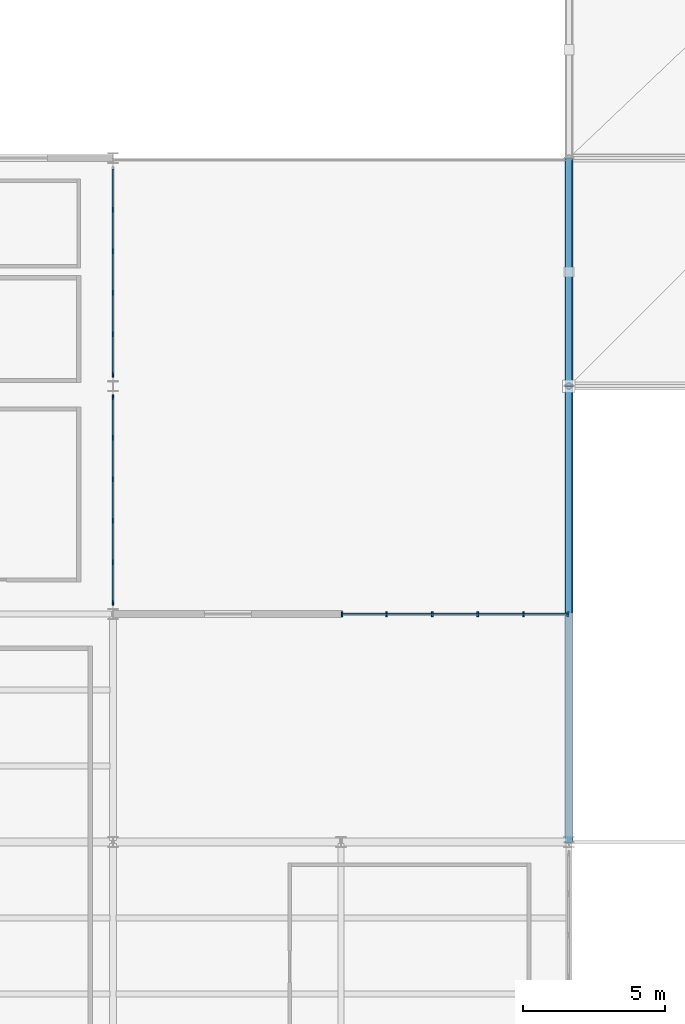
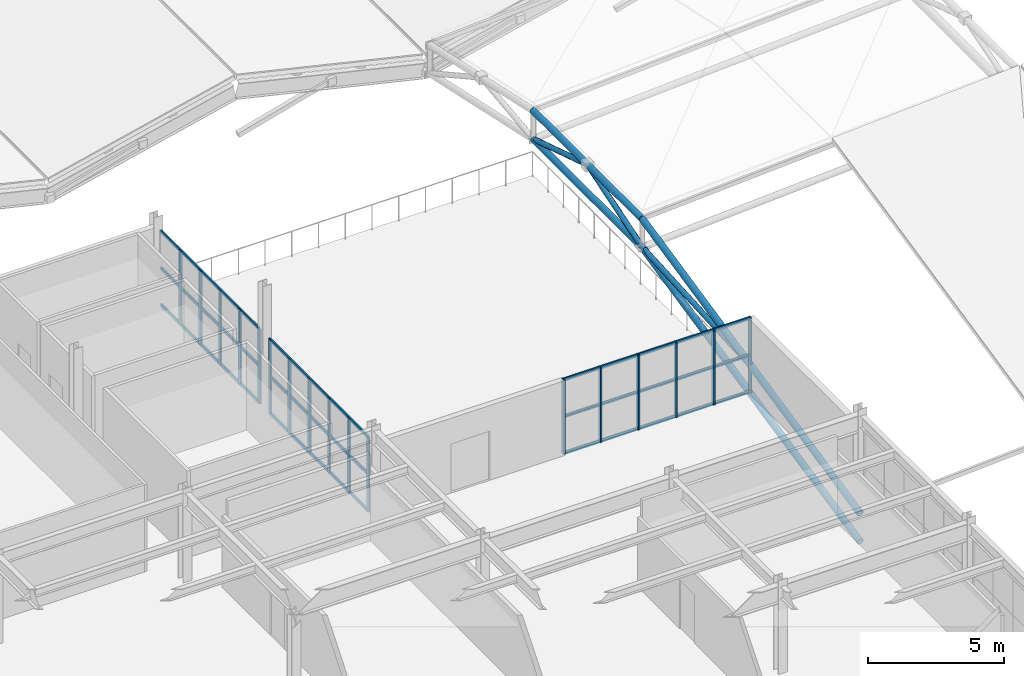
# One storey, part 9 of 67: 33 members, 3 elements without a shape of their own.
"""IFC4 building model written with IfcOpenShell, lengths in metres."""

from ifc_helpers import new_model, si_unit, direction, frame, origin, origin_2d, place, context, subcontext, project, spatial, rectangle, hollow_circle, extrude, material, material_profile, profile_set, type_object, element, aggregate, save


model = new_model("IFC4")

# Units and contexts
model_context = context("Model", 3, precision=1e-05, world=origin(), true_north=direction((0.0, 1.0)))
body_context = subcontext(model_context, "Body", "Model", "MODEL_VIEW")
ifc_project = project(units=[si_unit("LENGTHUNIT", "METRE"), si_unit("AREAUNIT", "SQUARE_METRE"), si_unit("VOLUMEUNIT", "CUBIC_METRE"), si_unit("PLANEANGLEUNIT", "RADIAN"), si_unit("MASSUNIT", "GRAM", prefix="KILO")], contexts=[model_context])

# Site, building, storey
site_placement = place(None, origin())
site = spatial("IfcSite", under=ifc_project, at=site_placement, CompositionType="ELEMENT")
building_placement = place(site_placement, origin())
building = spatial("IfcBuilding", under=site, at=building_placement, Name="Drelvath Fold Interchange", CompositionType="ELEMENT")
storey_placement = place(building_placement, frame((0.0, 0.0, 15.60009765625)))
storey = spatial("IfcBuildingStorey", under=building, at=storey_placement, Name="L03", CompositionType="ELEMENT", Elevation=15.60009765625)

# Curtain wall, members
ifc_material_1 = material(Name="Anodized Aluminium 6063-T6", Category="aluminium")
curtain_wall_type = type_object("IfcCurtainWallType", Name="CW-OPS-UPP", PredefinedType="USERDEFINED", material=ifc_material_1)
curtain_wall_1_placement = place(storey_placement, origin())
curtain_wall_1 = element("IfcCurtainWall", 1, at=curtain_wall_1_placement, inside=storey, type_object=curtain_wall_type, Name="Curtain wall CW-V5-L03-ST44", ObjectType="UNITISED CURTAIN WALL", PredefinedType="USERDEFINED")
ifc_material_profile_1 = material_profile(ifc_material_1, rectangle(XDim=0.06005859375, YDim=0.175048828125, at=origin_2d()), Name="AL-M 60x175")
ifc_profile_set_1 = profile_set([ifc_material_profile_1], Name="Anodized Aluminium 6063-T6")
member_type_1 = type_object("IfcMemberType", Name="ML-175", PredefinedType="MULLION", material=ifc_profile_set_1)
member_1_placement = place(storey_placement, frame((44.0400390625, 35.0, 0.0), z_axis=(0.0, 0.0, 1.0), x_axis=(1.0, 0.0, 0.0)))
member_1 = element("IfcMember", 2, at=member_1_placement, type_object=member_type_1, Name="CW-V5-L03-ST44 mullion 0", PredefinedType="MULLION", context=body_context, shape_type="SweptSolid", body=[
    extrude(rectangle(XDim=0.06005859375, YDim=0.175048828125, at=origin_2d()), origin(), (0.0, 0.0, 1.0), 3.349853515625),
])
member_2_placement = place(storey_placement, frame((45.60009765625, 35.0, 0.0), z_axis=(0.0, 0.0, 1.0), x_axis=(1.0, 0.0, 0.0)))
member_2 = element("IfcMember", 3, at=member_2_placement, type_object=member_type_1, Name="CW-V5-L03-ST44 mullion 1", PredefinedType="MULLION", context=body_context, shape_type="SweptSolid", body=[
    extrude(rectangle(XDim=0.06005859375, YDim=0.175048828125, at=origin_2d()), origin(), (0.0, 0.0, 1.0), 3.349853515625),
])
member_3_placement = place(storey_placement, frame((47.199951171875, 35.0, 0.0), z_axis=(0.0, 0.0, 1.0), x_axis=(1.0, 0.0, 0.0)))
member_3 = element("IfcMember", 4, at=member_3_placement, type_object=member_type_1, Name="CW-V5-L03-ST44 mullion 2", PredefinedType="MULLION", context=body_context, shape_type="SweptSolid", body=[
    extrude(rectangle(XDim=0.06005859375, YDim=0.175048828125, at=origin_2d()), origin(), (0.0, 0.0, 1.0), 3.349853515625),
])
member_4_placement = place(storey_placement, frame((48.800048828125, 35.0, 0.0), z_axis=(0.0, 0.0, 1.0), x_axis=(1.0, 0.0, 0.0)))
member_4 = element("IfcMember", 5, at=member_4_placement, type_object=member_type_1, Name="CW-V5-L03-ST44 mullion 3", PredefinedType="MULLION", context=body_context, shape_type="SweptSolid", body=[
    extrude(rectangle(XDim=0.06005859375, YDim=0.175048828125, at=origin_2d()), origin(), (0.0, 0.0, 1.0), 3.349853515625),
])
member_5_placement = place(storey_placement, frame((50.39990234375, 35.0, 0.0), z_axis=(0.0, 0.0, 1.0), x_axis=(1.0, 0.0, 0.0)))
member_5 = element("IfcMember", 6, at=member_5_placement, type_object=member_type_1, Name="CW-V5-L03-ST44 mullion 4", PredefinedType="MULLION", context=body_context, shape_type="SweptSolid", body=[
    extrude(rectangle(XDim=0.06005859375, YDim=0.175048828125, at=origin_2d()), origin(), (0.0, 0.0, 1.0), 3.349853515625),
])
member_6_placement = place(storey_placement, frame((51.9599609375, 35.0, 0.0), z_axis=(0.0, 0.0, 1.0), x_axis=(1.0, 0.0, 0.0)))
member_6 = element("IfcMember", 7, at=member_6_placement, type_object=member_type_1, Name="CW-V5-L03-ST44 mullion 5", PredefinedType="MULLION", context=body_context, shape_type="SweptSolid", body=[
    extrude(rectangle(XDim=0.06005859375, YDim=0.175048828125, at=origin_2d()), origin(), (0.0, 0.0, 1.0), 3.349853515625),
])

curtain_wall_2_placement = place(storey_placement, origin())
curtain_wall_2 = element("IfcCurtainWall", 8, at=curtain_wall_2_placement, inside=storey, type_object=curtain_wall_type, Name="Curtain wall CW-V5-L03-E36-35", ObjectType="UNITISED CURTAIN WALL", PredefinedType="USERDEFINED")
member_7_placement = place(storey_placement, frame((36.0, 35.39990234375, 0.0), z_axis=(0.0, 0.0, 1.0), x_axis=(1.0, 0.0, 0.0)))
member_7 = element("IfcMember", 9, at=member_7_placement, type_object=member_type_1, Name="CW-V5-L03-E36-35 mullion 0", PredefinedType="MULLION", context=body_context, shape_type="SweptSolid", body=[
    extrude(rectangle(XDim=0.06005859375, YDim=0.175048828125, at=origin_2d()), origin(), (0.0, 0.0, 1.0), 3.349853515625),
])
member_8_placement = place(storey_placement, frame((36.0, 36.81591796875, 0.0), z_axis=(0.0, 0.0, 1.0), x_axis=(1.0, 0.0, 0.0)))
member_8 = element("IfcMember", 10, at=member_8_placement, type_object=member_type_1, Name="CW-V5-L03-E36-35 mullion 1", PredefinedType="MULLION", context=body_context, shape_type="SweptSolid", body=[
    extrude(rectangle(XDim=0.06005859375, YDim=0.175048828125, at=origin_2d()), origin(), (0.0, 0.0, 1.0), 3.349853515625),
])
member_9_placement = place(storey_placement, frame((36.0, 38.27197265625, 0.0), z_axis=(0.0, 0.0, 1.0), x_axis=(1.0, 0.0, 0.0)))
member_9 = element("IfcMember", 11, at=member_9_placement, type_object=member_type_1, Name="CW-V5-L03-E36-35 mullion 2", PredefinedType="MULLION", context=body_context, shape_type="SweptSolid", body=[
    extrude(rectangle(XDim=0.06005859375, YDim=0.175048828125, at=origin_2d()), origin(), (0.0, 0.0, 1.0), 3.349853515625),
])
member_10_placement = place(storey_placement, frame((36.0, 39.72802734375, 0.0), z_axis=(0.0, 0.0, 1.0), x_axis=(1.0, 0.0, 0.0)))
member_10 = element("IfcMember", 12, at=member_10_placement, type_object=member_type_1, Name="CW-V5-L03-E36-35 mullion 3", PredefinedType="MULLION", context=body_context, shape_type="SweptSolid", body=[
    extrude(rectangle(XDim=0.06005859375, YDim=0.175048828125, at=origin_2d()), origin(), (0.0, 0.0, 1.0), 3.349853515625),
])
member_11_placement = place(storey_placement, frame((36.0, 41.18408203125, 0.0), z_axis=(0.0, 0.0, 1.0), x_axis=(1.0, 0.0, 0.0)))
member_11 = element("IfcMember", 13, at=member_11_placement, type_object=member_type_1, Name="CW-V5-L03-E36-35 mullion 4", PredefinedType="MULLION", context=body_context, shape_type="SweptSolid", body=[
    extrude(rectangle(XDim=0.06005859375, YDim=0.175048828125, at=origin_2d()), origin(), (0.0, 0.0, 1.0), 3.349853515625),
])
member_12_placement = place(storey_placement, frame((36.0, 42.60009765625, 0.0), z_axis=(0.0, 0.0, 1.0), x_axis=(1.0, 0.0, 0.0)))
member_12 = element("IfcMember", 14, at=member_12_placement, type_object=member_type_1, Name="CW-V5-L03-E36-35 mullion 5", PredefinedType="MULLION", context=body_context, shape_type="SweptSolid", body=[
    extrude(rectangle(XDim=0.06005859375, YDim=0.175048828125, at=origin_2d()), origin(), (0.0, 0.0, 1.0), 3.349853515625),
])

curtain_wall_3_placement = place(storey_placement, origin())
curtain_wall_3 = element("IfcCurtainWall", 15, at=curtain_wall_3_placement, inside=storey, type_object=curtain_wall_type, Name="Curtain wall CW-V5-L03-E36-43", ObjectType="UNITISED CURTAIN WALL", PredefinedType="USERDEFINED")
member_13_placement = place(storey_placement, frame((36.0, 43.39990234375, 0.0), z_axis=(0.0, 0.0, 1.0), x_axis=(1.0, 0.0, 0.0)))
member_13 = element("IfcMember", 16, at=member_13_placement, type_object=member_type_1, Name="CW-V5-L03-E36-43 mullion 0", PredefinedType="MULLION", context=body_context, shape_type="SweptSolid", body=[
    extrude(rectangle(XDim=0.06005859375, YDim=0.175048828125, at=origin_2d()), origin(), (0.0, 0.0, 1.0), 3.349853515625),
])
member_14_placement = place(storey_placement, frame((36.0, 44.81591796875, 0.0), z_axis=(0.0, 0.0, 1.0), x_axis=(1.0, 0.0, 0.0)))
member_14 = element("IfcMember", 17, at=member_14_placement, type_object=member_type_1, Name="CW-V5-L03-E36-43 mullion 1", PredefinedType="MULLION", context=body_context, shape_type="SweptSolid", body=[
    extrude(rectangle(XDim=0.06005859375, YDim=0.175048828125, at=origin_2d()), origin(), (0.0, 0.0, 1.0), 3.349853515625),
])
member_15_placement = place(storey_placement, frame((36.0, 46.27197265625, 0.0), z_axis=(0.0, 0.0, 1.0), x_axis=(1.0, 0.0, 0.0)))
member_15 = element("IfcMember", 18, at=member_15_placement, type_object=member_type_1, Name="CW-V5-L03-E36-43 mullion 2", PredefinedType="MULLION", context=body_context, shape_type="SweptSolid", body=[
    extrude(rectangle(XDim=0.06005859375, YDim=0.175048828125, at=origin_2d()), origin(), (0.0, 0.0, 1.0), 3.349853515625),
])
member_16_placement = place(storey_placement, frame((36.0, 47.72802734375, 0.0), z_axis=(0.0, 0.0, 1.0), x_axis=(1.0, 0.0, 0.0)))
member_16 = element("IfcMember", 19, at=member_16_placement, type_object=member_type_1, Name="CW-V5-L03-E36-43 mullion 3", PredefinedType="MULLION", context=body_context, shape_type="SweptSolid", body=[
    extrude(rectangle(XDim=0.06005859375, YDim=0.175048828125, at=origin_2d()), origin(), (0.0, 0.0, 1.0), 3.349853515625),
])
member_17_placement = place(storey_placement, frame((36.0, 49.18408203125, 0.0), z_axis=(0.0, 0.0, 1.0), x_axis=(1.0, 0.0, 0.0)))
member_17 = element("IfcMember", 20, at=member_17_placement, type_object=member_type_1, Name="CW-V5-L03-E36-43 mullion 4", PredefinedType="MULLION", context=body_context, shape_type="SweptSolid", body=[
    extrude(rectangle(XDim=0.06005859375, YDim=0.175048828125, at=origin_2d()), origin(), (0.0, 0.0, 1.0), 3.349853515625),
])

# Members
ifc_material_2 = material(Name="Steel ASTM A500 Grade C", Category="steel")
ifc_material_profile_2 = material_profile(ifc_material_2, hollow_circle(Radius=0.136474609375, WallThickness=0.01171875, at=origin_2d()), Name="HSS10.750X0.500")
ifc_profile_set_2 = profile_set([ifc_material_profile_2], Name="Steel ASTM A500 Grade C")
member_type_2 = type_object("IfcMemberType", Name="SF-CHD273", PredefinedType="CHORD", material=ifc_profile_set_2)
for number, where, z_axis, x_axis, name in (
    (21, (52.0, 27.0, -1.8701171875), (0.0, 0.977052272987, 0.212999661624), (-1.0, 0.0, 0.0), "L03 Space frame wall ledger chord SF-CHD273"),
    (22, (52.0, 27.0, -0.60009765625), (0.0, 0.977052272987, 0.212999661624), (-1.0, 0.0, 0.0), "L03 Space frame roof truss upper chord SF-CHD273"),
):
    element("IfcMember", number, at=place(storey_placement, frame(where, z_axis=z_axis, x_axis=x_axis)), inside=storey, type_object=member_type_2, Name=name, PredefinedType="CHORD", context=body_context, shape_type="SweptSolid", body=[
        extrude(hollow_circle(Radius=0.136474609375, WallThickness=0.01171875, at=origin_2d()), origin(), (0.0, 0.0, 1.0), 16.375732421875),
    ])
for number, where, z_axis, x_axis, name in (
    (23, (52.0, 43.0, 1.617919921875), (0.0, 1.0, 0.0), (-1.0, 0.0, 0.0), "L03 Space frame wall ledger chord SF-CHD273"),
    (24, (52.0, 43.0, 2.887939453125), (0.0, 1.0, 0.0), (-1.0, 0.0, 0.0), "L03 Space frame roof truss upper chord SF-CHD273"),
):
    element("IfcMember", number, at=place(storey_placement, frame(where, z_axis=z_axis, x_axis=x_axis)), inside=storey, type_object=member_type_2, Name=name, PredefinedType="CHORD", context=body_context, shape_type="SweptSolid", body=[
        extrude(hollow_circle(Radius=0.136474609375, WallThickness=0.01171875, at=origin_2d()), origin(), (0.0, 0.0, 1.0), 8.0),
    ])
ifc_material_profile_3 = material_profile(ifc_material_2, hollow_circle(Radius=0.109619140625, WallThickness=0.0087890625, at=origin_2d()), Name="HSS8.625X0.375")
ifc_profile_set_3 = profile_set([ifc_material_profile_3], Name="Steel ASTM A500 Grade C")
member_type_3 = type_object("IfcMemberType", Name="SF-WEB219", PredefinedType="BRACE", material=ifc_profile_set_3)
member_18_placement = place(storey_placement, frame((52.0, 35.0, 1.143798828125), z_axis=(0.0, 0.998248434528, 0.059161329952), x_axis=(-1.0, 0.0, 0.0)))
element("IfcMember", 25, at=member_18_placement, inside=storey, type_object=member_type_3, Name="L03 Space frame roof truss web brace SF-WEB219", PredefinedType="BRACE", context=body_context, shape_type="SweptSolid", body=[
    extrude(hollow_circle(Radius=0.109619140625, WallThickness=0.0087890625, at=origin_2d()), origin(), (0.0, 0.0, 1.0), 8.013916015625),
])
for number, where, z_axis, x_axis, name in (
    (26, (52.0, 43.0, 1.617919921875), (0.0, 0.953112016541, 0.302617719119), (-1.0, 0.0, 0.0), "L03 Space frame roof truss web brace SF-WEB219"),
    (27, (52.0, 47.0, 2.887939453125), (0.0, 0.953112016541, -0.302617719119), (-1.0, 0.0, 0.0), "L03 Space frame roof truss web brace SF-WEB219"),
):
    element("IfcMember", number, at=place(storey_placement, frame(where, z_axis=z_axis, x_axis=x_axis)), inside=storey, type_object=member_type_3, Name=name, PredefinedType="BRACE", context=body_context, shape_type="SweptSolid", body=[
        extrude(hollow_circle(Radius=0.109619140625, WallThickness=0.0087890625, at=origin_2d()), origin(), (0.0, 0.0, 1.0), 4.19677734375),
    ])

# Member
ifc_material_profile_4 = material_profile(ifc_material_1, rectangle(XDim=0.06005859375, YDim=0.139892578125, at=origin_2d()), Name="AL-T 60x140")
ifc_profile_set_4 = profile_set([ifc_material_profile_4], Name="Anodized Aluminium 6063-T6")
member_type_4 = type_object("IfcMemberType", Name="TR-140", PredefinedType="USERDEFINED", material=ifc_profile_set_4)
member_19_placement = place(storey_placement, frame((44.0400390625, 35.0, 0.02978515625), z_axis=(1.0, 0.0, 0.0), x_axis=(0.0, 1.0, 0.0)))
member_19 = element("IfcMember", 28, at=member_19_placement, type_object=member_type_4, Name="CW-V5-L03-ST44 transom 0", ObjectType="TRANSOM", PredefinedType="USERDEFINED", context=body_context, shape_type="SweptSolid", body=[
    extrude(rectangle(XDim=0.06005859375, YDim=0.139892578125, at=origin_2d()), origin(), (0.0, 0.0, 1.0), 7.919921875),
])

member_20_placement = place(storey_placement, frame((44.0400390625, 35.0, 1.6748046875), z_axis=(1.0, 0.0, 0.0), x_axis=(0.0, 1.0, 0.0)))
member_20 = element("IfcMember", 29, at=member_20_placement, type_object=member_type_4, Name="CW-V5-L03-ST44 transom 1", ObjectType="TRANSOM", PredefinedType="USERDEFINED", context=body_context, shape_type="SweptSolid", body=[
    extrude(rectangle(XDim=0.06005859375, YDim=0.139892578125, at=origin_2d()), origin(), (0.0, 0.0, 1.0), 7.919921875),
])

member_21_placement = place(storey_placement, frame((44.0400390625, 35.0, 3.31982421875), z_axis=(1.0, 0.0, 0.0), x_axis=(0.0, 1.0, 0.0)))
member_21 = element("IfcMember", 30, at=member_21_placement, type_object=member_type_4, Name="CW-V5-L03-ST44 transom 2", ObjectType="TRANSOM", PredefinedType="USERDEFINED", context=body_context, shape_type="SweptSolid", body=[
    extrude(rectangle(XDim=0.06005859375, YDim=0.139892578125, at=origin_2d()), origin(), (0.0, 0.0, 1.0), 7.919921875),
])

aggregate(curtain_wall_1, [member_1, member_2, member_3, member_4, member_5, member_6, member_19, member_20, member_21])

member_22_placement = place(storey_placement, frame((36.0, 35.39990234375, 0.02978515625), z_axis=(0.0, 1.0, 0.0), x_axis=(-1.0, 0.0, 0.0)))
member_22 = element("IfcMember", 31, at=member_22_placement, type_object=member_type_4, Name="CW-V5-L03-E36-35 transom 0", ObjectType="TRANSOM", PredefinedType="USERDEFINED", context=body_context, shape_type="SweptSolid", body=[
    extrude(rectangle(XDim=0.06005859375, YDim=0.139892578125, at=origin_2d()), origin(), (0.0, 0.0, 1.0), 7.2001953125),
])

member_23_placement = place(storey_placement, frame((36.0, 35.39990234375, 1.6748046875), z_axis=(0.0, 1.0, 0.0), x_axis=(-1.0, 0.0, 0.0)))
member_23 = element("IfcMember", 32, at=member_23_placement, type_object=member_type_4, Name="CW-V5-L03-E36-35 transom 1", ObjectType="TRANSOM", PredefinedType="USERDEFINED", context=body_context, shape_type="SweptSolid", body=[
    extrude(rectangle(XDim=0.06005859375, YDim=0.139892578125, at=origin_2d()), origin(), (0.0, 0.0, 1.0), 7.2001953125),
])

member_24_placement = place(storey_placement, frame((36.0, 35.39990234375, 3.31982421875), z_axis=(0.0, 1.0, 0.0), x_axis=(-1.0, 0.0, 0.0)))
member_24 = element("IfcMember", 33, at=member_24_placement, type_object=member_type_4, Name="CW-V5-L03-E36-35 transom 2", ObjectType="TRANSOM", PredefinedType="USERDEFINED", context=body_context, shape_type="SweptSolid", body=[
    extrude(rectangle(XDim=0.06005859375, YDim=0.139892578125, at=origin_2d()), origin(), (0.0, 0.0, 1.0), 7.2001953125),
])

aggregate(curtain_wall_2, [member_7, member_8, member_9, member_10, member_11, member_12, member_22, member_23, member_24])

member_25_placement = place(storey_placement, frame((36.0, 43.39990234375, 0.02978515625), z_axis=(0.0, 1.0, 0.0), x_axis=(-1.0, 0.0, 0.0)))
member_25 = element("IfcMember", 34, at=member_25_placement, type_object=member_type_4, Name="CW-V5-L03-E36-43 transom 0", ObjectType="TRANSOM", PredefinedType="USERDEFINED", context=body_context, shape_type="SweptSolid", body=[
    extrude(rectangle(XDim=0.06005859375, YDim=0.139892578125, at=origin_2d()), origin(), (0.0, 0.0, 1.0), 7.2001953125),
])

member_26_placement = place(storey_placement, frame((36.0, 43.39990234375, 1.6748046875), z_axis=(0.0, 1.0, 0.0), x_axis=(-1.0, 0.0, 0.0)))
member_26 = element("IfcMember", 35, at=member_26_placement, type_object=member_type_4, Name="CW-V5-L03-E36-43 transom 1", ObjectType="TRANSOM", PredefinedType="USERDEFINED", context=body_context, shape_type="SweptSolid", body=[
    extrude(rectangle(XDim=0.06005859375, YDim=0.139892578125, at=origin_2d()), origin(), (0.0, 0.0, 1.0), 7.2001953125),
])

member_27_placement = place(storey_placement, frame((36.0, 43.39990234375, 3.31982421875), z_axis=(0.0, 1.0, 0.0), x_axis=(-1.0, 0.0, 0.0)))
member_27 = element("IfcMember", 36, at=member_27_placement, type_object=member_type_4, Name="CW-V5-L03-E36-43 transom 2", ObjectType="TRANSOM", PredefinedType="USERDEFINED", context=body_context, shape_type="SweptSolid", body=[
    extrude(rectangle(XDim=0.06005859375, YDim=0.139892578125, at=origin_2d()), origin(), (0.0, 0.0, 1.0), 7.2001953125),
])

aggregate(curtain_wall_3, [member_13, member_14, member_15, member_16, member_17, member_25, member_26, member_27])

save(model, "model.ifc")
